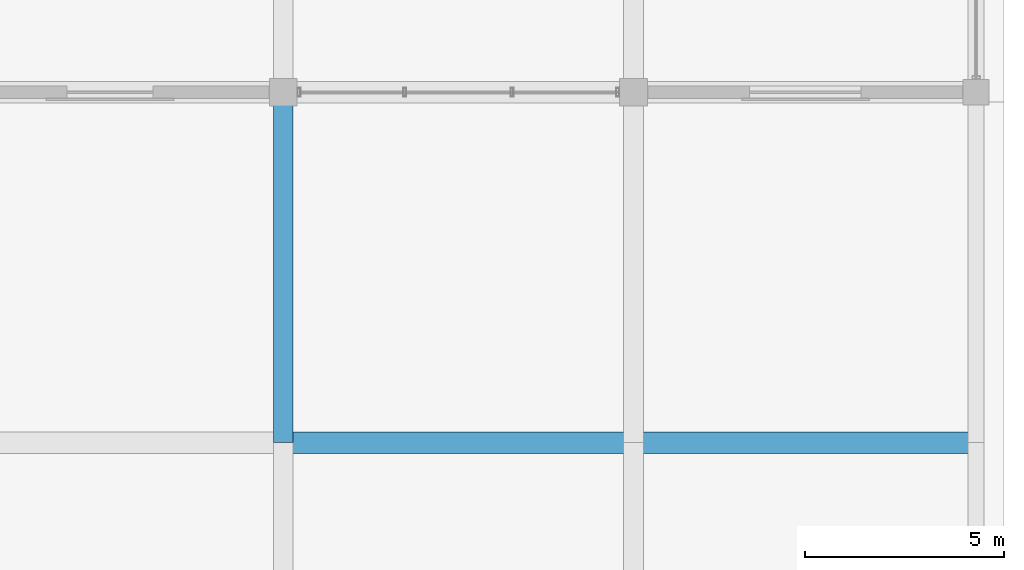
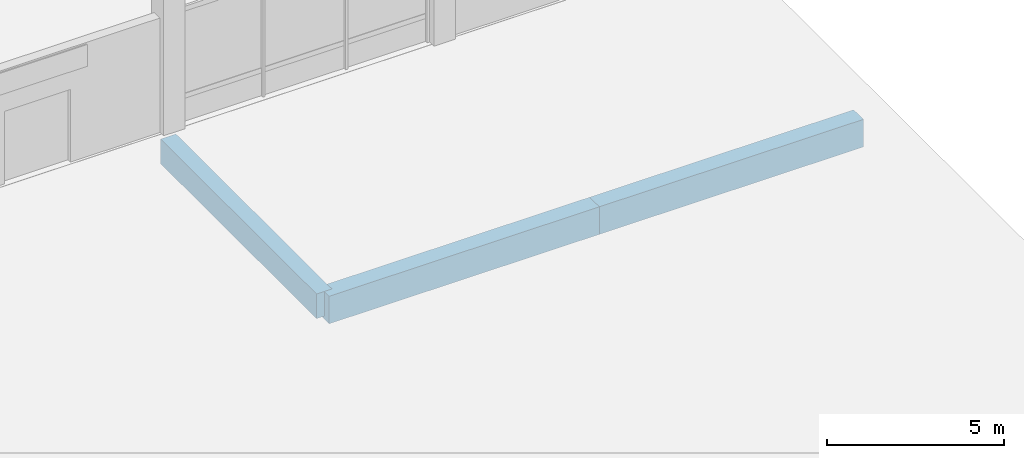
# One storey, part 43 of 73: 3 beams.
"""IFC4 building model written with IfcOpenShell, lengths in metres."""

from ifc_helpers import new_model, si_unit, direction, frame, origin, origin_2d, place, context, subcontext, project, spatial, rectangle, extrude, material, material_profile, profile_set, type_object, element, save


model = new_model("IFC4")

# Units and contexts
model_context = context("Model", 3, precision=1e-05, world=origin(), true_north=direction((0.0, 1.0)))
body_context = subcontext(model_context, "Body", "Model", "MODEL_VIEW")
ifc_project = project(units=[si_unit("LENGTHUNIT", "METRE"), si_unit("AREAUNIT", "SQUARE_METRE"), si_unit("VOLUMEUNIT", "CUBIC_METRE"), si_unit("PLANEANGLEUNIT", "RADIAN"), si_unit("MASSUNIT", "GRAM", prefix="KILO")], contexts=[model_context])

# Site, building, storey
site_placement = place(None, origin())
site = spatial("IfcSite", under=ifc_project, at=site_placement, CompositionType="ELEMENT")
building_placement = place(site_placement, origin())
building = spatial("IfcBuilding", under=site, at=building_placement, Name="Meriwether Solvik Hall", CompositionType="ELEMENT")
storey_placement = place(building_placement, origin())
storey = spatial("IfcBuildingStorey", under=building, at=storey_placement, Name="L00", CompositionType="ELEMENT", Elevation=0.0)

# Beams
ifc_material_1 = material(Name="Concrete C40/50", Category="concrete")
ifc_material_profile_1 = material_profile(ifc_material_1, rectangle(XDim=0.5, YDim=0.85009765625, at=origin_2d()), Name="RCB-500X850")
ifc_profile_set_1 = profile_set([ifc_material_profile_1], Name="Concrete C40/50")
beam_type_1 = type_object("IfcBeamType", Name="BM-RC-500X850", PredefinedType="BEAM", material=ifc_profile_set_1)
beam_1_placement = place(storey_placement, frame((149.39990234375, 41.199951171875, -0.784912109375), z_axis=(0.0, 1.0, 0.0), x_axis=(-1.0, 0.0, 0.0)))
element("IfcBeam", 1, at=beam_1_placement, inside=storey, type_object=beam_type_1, Name="Podium Girder 17:E-F (L00)", PredefinedType="BEAM", context=body_context, shape_type="SweptSolid", body=[
    extrude(rectangle(XDim=0.5, YDim=0.85009765625, at=origin_2d()), origin(), (0.0, 0.0, 1.0), 8.800048828125),
])
ifc_material_2 = material(Name="Concrete C40/50", Category="concrete")
ifc_material_profile_2 = material_profile(ifc_material_2, rectangle(XDim=0.550048828125, YDim=0.949951171875, at=origin_2d()), Name="RCB-550X950")
ifc_profile_set_2 = profile_set([ifc_material_profile_2], Name="Concrete C40/50")
beam_type_2 = type_object("IfcBeamType", Name="BM-RC-550X950", PredefinedType="BEAM", material=ifc_profile_set_2)
beam_2_placement = place(storey_placement, frame((149.39990234375, 41.199951171875, -0.8349609375), z_axis=(1.0, 0.0, 0.0), x_axis=(0.0, 1.0, 0.0)))
element("IfcBeam", 2, at=beam_2_placement, inside=storey, type_object=beam_type_2, Name="Podium Girder E:17-18 (L00)", PredefinedType="BEAM", context=body_context, shape_type="SweptSolid", body=[
    extrude(rectangle(XDim=0.550048828125, YDim=0.949951171875, at=origin_2d()), origin(), (0.0, 0.0, 1.0), 8.800048828125),
])
beam_3_placement = place(storey_placement, frame((158.199951171875, 41.199951171875, -0.8349609375), z_axis=(1.0, 0.0, 0.0), x_axis=(0.0, 1.0, 0.0)))
element("IfcBeam", 3, at=beam_3_placement, inside=storey, type_object=beam_type_2, Name="Podium Girder E:18-19 (L00)", PredefinedType="BEAM", context=body_context, shape_type="SweptSolid", body=[
    extrude(rectangle(XDim=0.550048828125, YDim=0.949951171875, at=origin_2d()), origin(), (0.0, 0.0, 1.0), 8.60009765625),
])

save(model, "model.ifc")
